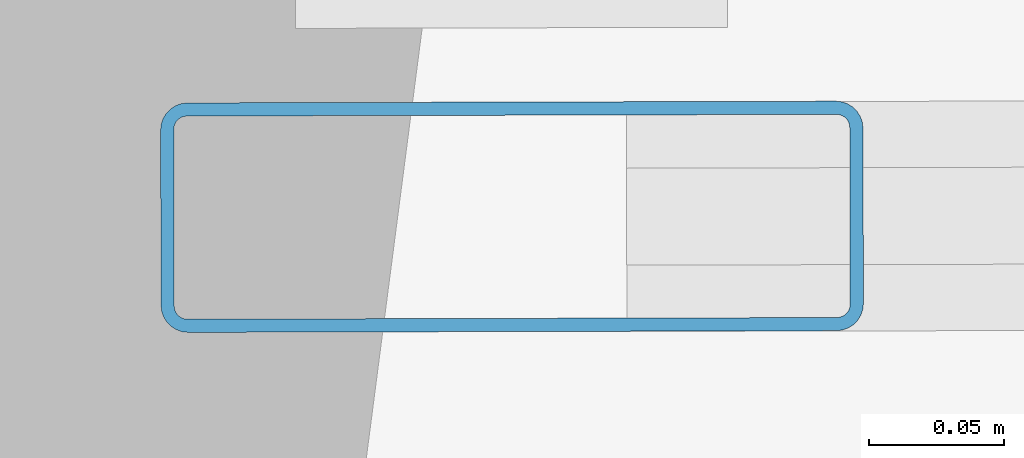
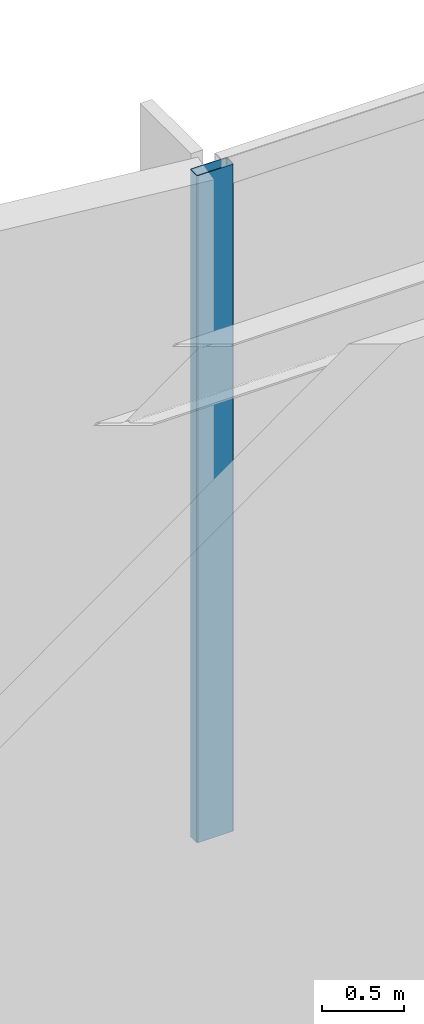
# One storey, part 5 of 15: 1 member, 1 element without a shape of its own.
"""IFC4 building model written with IfcOpenShell, lengths in metres."""

from ifc_helpers import new_model, si_unit, direction, frame, origin, origin_2d, place, context, subcontext, project, spatial, hollow_rectangle, extrude, material, layer, layer_set, material_profile, profile_set, type_object, element, aggregate, save


model = new_model("IFC4")

# Units and contexts
model_context = context("Model", 3, precision=1e-05, world=origin(), true_north=direction((0.0, 1.0)))
body_context = subcontext(model_context, "Body", "Model", "MODEL_VIEW")
ifc_project = project(units=[si_unit("LENGTHUNIT", "METRE"), si_unit("AREAUNIT", "SQUARE_METRE"), si_unit("VOLUMEUNIT", "CUBIC_METRE"), si_unit("PLANEANGLEUNIT", "RADIAN"), si_unit("MASSUNIT", "GRAM", prefix="KILO")], contexts=[model_context])

# Site, building, storey
site_placement = place(None, origin())
site = spatial("IfcSite", under=ifc_project, at=site_placement, CompositionType="ELEMENT")
building_placement = place(site_placement, origin())
building = spatial("IfcBuilding", under=site, at=building_placement, Name="Varnakote Quay Hospital", CompositionType="ELEMENT")
storey_placement = place(building_placement, frame((0.0, 0.0, 235.550048828125)))
storey = spatial("IfcBuildingStorey", under=building, at=storey_placement, Name="L58", CompositionType="ELEMENT", Elevation=235.550048828125)

# Curtain wall, member
ifc_material_1 = material(Name="Anodised aluminium 6063-T6 Bronze", Category="aluminium")
ifc_layer = layer(ifc_material_1, 0.25)
ifc_layer_set = layer_set([ifc_layer], Name="Anodised aluminium 6063-T6 Bronze")
curtain_wall_type = type_object("IfcCurtainWallType", Name="CW-SYS-6", PredefinedType="NOTDEFINED", material=ifc_layer_set)
curtain_wall_placement = place(storey_placement, origin())
curtain_wall = element("IfcCurtainWall", 1, at=curtain_wall_placement, inside=storey, type_object=curtain_wall_type, Name="L58 Unitised Bronze Curtain Wall 2", PredefinedType="NOTDEFINED")
ifc_material_2 = material(Name="Anodised aluminium 6063-T6 Bronze", Category="aluminium")
ifc_material_profile = material_profile(ifc_material_2, hollow_rectangle(XDim=0.0849609375, YDim=0.260009765625, WallThickness=0.0048828125, InnerFilletRadius=0.0048828125, OuterFilletRadius=0.010009765625, at=origin_2d()), Name="CW-MULL-260x85")
ifc_profile_set = profile_set([ifc_material_profile], Name="Anodised aluminium 6063-T6 Bronze")
member_type = type_object("IfcMemberType", Name="CW-MULL-260x85", PredefinedType="MULLION", material=ifc_profile_set)
member_placement = place(storey_placement, frame((31.448486328125, 30.408203125, 0.0), z_axis=(0.0, 0.0, 1.0), x_axis=(0.002604222224, -0.999996609008, 0.0)))
member = element("IfcMember", 2, at=member_placement, type_object=member_type, Name="-6-L58-2 mullion 4", PredefinedType="MULLION", context=body_context, shape_type="SweptSolid", body=[
    extrude(hollow_rectangle(XDim=0.0849609375, YDim=0.260009765625, WallThickness=0.0048828125, InnerFilletRadius=0.0048828125, OuterFilletRadius=0.010009765625, at=origin_2d()), origin(), (0.0, 0.0, 1.0), 4.9599609375),
])
aggregate(curtain_wall, [member])

save(model, "model.ifc")
